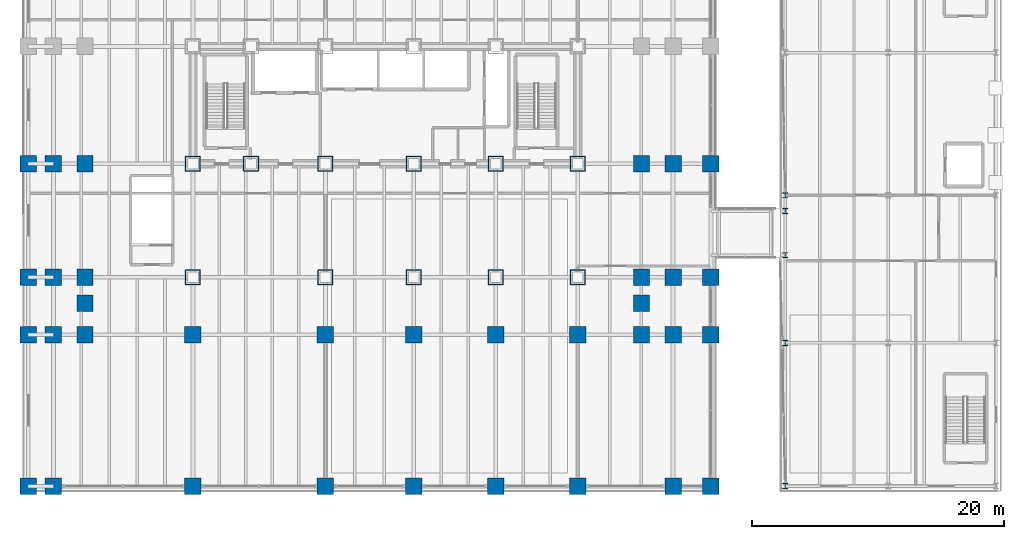
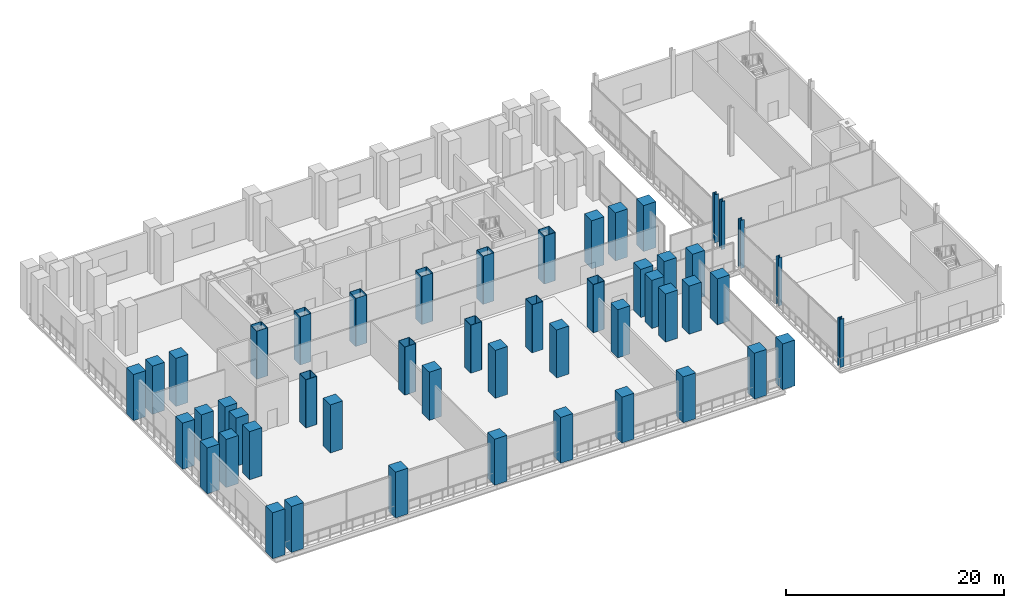
# One storey, part 1 of 30: 50 columns.
"""IFC4 building model written with IfcOpenShell, lengths in metres."""

import ifcopenshell
import ifcopenshell.guid

model = None  # the IFC model being written
_history = None  # IfcOwnerHistory: only IFC2X3 demands one
_inside = {}  # id of a spatial element -> (the spatial element, [elements in it])
_under = {}  # id of a project, library or spatial element -> (it, [spatial elements below it])
_declared = {}  # id of a project -> (the project, [libraries it declares])
_typed = {}  # id of a type object -> (the type object, [elements of that type])
_made_of = {}  # id of a material, layer set ... -> (it, [elements and type objects made of it])


def new_model(schema):
    """Start an empty IFC model of exactly this schema.

    Asked for "IFC4X3", IfcOpenShell would pick the latest addendum, in which some entities
    have other attributes; the version numbers below select the first issue.
    IFC2X3 requires an IfcOwnerHistory on every rooted entity: one is made here for all.
    """
    global model, _history
    if schema == "IFC4X3":
        model = ifcopenshell.file(schema_version=(4, 3, 0, 0))
    else:
        model = ifcopenshell.file(schema=schema)
    _inside.clear()
    _under.clear()
    _declared.clear()
    _typed.clear()
    _made_of.clear()
    _history = None
    if model.schema == "IFC2X3":
        org = make("IfcOrganization", Name="unknown")
        user = make(
            "IfcPersonAndOrganization",
            ThePerson=make("IfcPerson", FamilyName="unknown"),
            TheOrganization=org,
        )
        app = make(
            "IfcApplication",
            ApplicationDeveloper=org,
            Version="unknown",
            ApplicationFullName="unknown",
            ApplicationIdentifier="unknown",
        )
        _history = make(
            "IfcOwnerHistory",
            OwningUser=user,
            OwningApplication=app,
            ChangeAction="ADDED",
            CreationDate=0,
        )
    return model


def make(cls, **values):
    """One entity of the class cls with the attributes given. An attribute that is None is left unset."""
    return model.create_entity(
        cls, **{name: value for name, value in values.items() if value is not None}
    )


def rooted(cls, **values):
    """An entity with a GlobalId (a new one), such as an element, a storey or a relation."""
    return make(cls, GlobalId=ifcopenshell.guid.new(), OwnerHistory=_history, **values)


def si_unit(unit_type, name, prefix=None):
    """IfcSIUnit, for example si_unit("LENGTHUNIT", "METRE", prefix="MILLI")."""
    return make("IfcSIUnit", UnitType=unit_type, Prefix=prefix, Name=name)


def assignment(units):
    """IfcUnitAssignment: the units of a project."""
    return None if units is None else make("IfcUnitAssignment", Units=units)


def point(xyz):
    """IfcCartesianPoint."""
    return None if xyz is None else make("IfcCartesianPoint", Coordinates=xyz)


def direction(xyz):
    """IfcDirection."""
    return None if xyz is None else make("IfcDirection", DirectionRatios=xyz)


def frame(location, z_axis=None, x_axis=None):
    """IfcAxis2Placement3D, a coordinate frame: its origin and axes. An axis left out is left unset."""
    return make(
        "IfcAxis2Placement3D",
        Location=point(location),
        Axis=direction(z_axis),
        RefDirection=direction(x_axis),
    )


def frame_2d(location, x_axis=None):
    """IfcAxis2Placement2D, a coordinate frame in the plane: its origin and x axis."""
    return make(
        "IfcAxis2Placement2D", Location=point(location), RefDirection=direction(x_axis)
    )


def origin():
    """The frame at (0, 0, 0) with its axes left unset."""
    return frame((0.0, 0.0, 0.0))


def origin_2d():
    """The frame at (0, 0) in the plane with its x axis left unset."""
    return frame_2d((0.0, 0.0))


def place(relative_to, where):
    """IfcLocalPlacement: puts the frame where relative to a parent placement (None: the world)."""
    return make(
        "IfcLocalPlacement", PlacementRelTo=relative_to, RelativePlacement=where
    )


def context(
    kind, dimensions, precision=None, world=None, true_north=None, identifier=None
):
    """IfcGeometricRepresentationContext, for example the 3D "Model" context."""
    return make(
        "IfcGeometricRepresentationContext",
        ContextIdentifier=identifier,
        ContextType=kind,
        CoordinateSpaceDimension=dimensions,
        Precision=precision,
        WorldCoordinateSystem=world,
        TrueNorth=true_north,
    )


def subcontext(parent, identifier, kind, view, scale=None):
    """IfcGeometricRepresentationSubContext, for example "Body" below "Model"."""
    return make(
        "IfcGeometricRepresentationSubContext",
        ContextIdentifier=identifier,
        ContextType=kind,
        ParentContext=parent,
        TargetScale=scale,
        TargetView=view,
    )


def project(units=None, contexts=None):
    """IfcProject with its units and contexts."""
    return rooted(
        "IfcProject",
        Name="project",
        RepresentationContexts=contexts,
        UnitsInContext=assignment(units),
    )


def spatial(cls, under=None, at=None, **own):
    """A site, building, storey or space (cls), placed at a placement, below another one or the project."""
    s = rooted(cls, ObjectPlacement=at, **own)
    if under is not None:
        _under.setdefault(under.id(), (under, []))[1].append(s)
    return s


def profile(cls, at=None, kind="AREA", **sizes):
    """A parametric profile (cls). Its sizes go by their IFC names, for example OverallWidth=200.0."""
    return make(cls, ProfileType=kind, Position=at, **sizes)


def rectangle(**sizes):
    """IfcRectangleProfileDef."""
    return profile("IfcRectangleProfileDef", **sizes)


def hollow_rectangle(**sizes):
    """IfcRectangleHollowProfileDef."""
    return profile("IfcRectangleHollowProfileDef", **sizes)


def i_section(**sizes):
    """IfcIShapeProfileDef."""
    return profile("IfcIShapeProfileDef", **sizes)


def extrude(swept, where, along, depth):
    """IfcExtrudedAreaSolid: the profile swept, set in the frame where, extruded along a direction by depth."""
    return make(
        "IfcExtrudedAreaSolid",
        SweptArea=swept,
        Position=where,
        ExtrudedDirection=direction(along),
        Depth=depth,
    )


def shape(context_of_items, identifier, shape_type, items):
    """IfcShapeRepresentation: the items that make up one representation, for example the "Body"."""
    return make(
        "IfcShapeRepresentation",
        ContextOfItems=context_of_items,
        RepresentationIdentifier=identifier,
        RepresentationType=shape_type,
        Items=items,
    )


def material(Name=None, Category=None):
    """IfcMaterial."""
    return make("IfcMaterial", Name=Name, Category=Category)


def material_profile(
    of_material, cross_section, Name=None, Category=None, Priority=None
):
    """IfcMaterialProfile: a cross section and its material."""
    return make(
        "IfcMaterialProfile",
        Name=Name,
        Material=of_material,
        Profile=cross_section,
        Priority=Priority,
        Category=Category,
    )


def profile_set(profiles, Name=None, composite=None):
    """IfcMaterialProfileSet."""
    return make(
        "IfcMaterialProfileSet",
        Name=Name,
        MaterialProfiles=profiles,
        CompositeProfile=composite,
    )


def made_of(thing, what):
    """Note that an element or type object is made of a material, layer set ...; save() writes the relation."""
    if what is not None:
        _made_of.setdefault(what.id(), (what, []))[1].append(thing)
    return thing


def type_object(cls, material=None, **own):
    """A type object (cls), such as IfcWallType, which elements share."""
    return made_of(rooted(cls, **own), material)


def element(
    cls,
    number,
    at=None,
    inside=None,
    cuts=None,
    type_object=None,
    material=None,
    context=None,
    identifier="Body",
    shape_type=None,
    held_by="IfcProductDefinitionShape",
    body=None,
    shapes=None,
    **own,
):
    """One element of the class cls, such as IfcWall. Its Tag is "e" and its number.

    at: its placement. inside: the storey or other place that contains it. cuts: it is an
    opening in that element (IfcRelVoidsElement). A single representation is given by context,
    identifier, shape_type and body (its items); several are given by shapes. held_by: the class
    of the entity that holds the representations. save() writes the other relations.
    """
    e = rooted(cls, Tag="e%d" % number, ObjectPlacement=at, **own)
    if body is not None:
        shapes = [shape(context, identifier, shape_type, body)]
    if shapes is not None:
        e.Representation = make(held_by, Representations=shapes)
    if inside is not None:
        _inside.setdefault(inside.id(), (inside, []))[1].append(e)
    if cuts is not None:
        rooted(
            "IfcRelVoidsElement", RelatingBuildingElement=cuts, RelatedOpeningElement=e
        )
    if type_object is not None:
        _typed.setdefault(type_object.id(), (type_object, []))[1].append(e)
    return made_of(e, material)


def aggregate(whole, parts):
    """IfcRelAggregates: a whole, such as a stair, and the parts it consists of."""
    return rooted("IfcRelAggregates", RelatingObject=whole, RelatedObjects=parts)


def save(model, path):
    """Write the relations noted so far, then the file.

    IfcRelAggregates (storeys below a building ...), IfcRelContainedInSpatialStructure (elements
    in a storey), IfcRelDefinesByType, IfcRelAssociatesMaterial and IfcRelDeclares: one each for
    every whole, place, type object, material and project.
    """
    for whole, parts in _under.values():
        aggregate(whole, parts)
    for where, things in _inside.values():
        rooted(
            "IfcRelContainedInSpatialStructure",
            RelatedElements=things,
            RelatingStructure=where,
        )
    for kind, things in _typed.values():
        rooted("IfcRelDefinesByType", RelatedObjects=things, RelatingType=kind)
    for what, things in _made_of.values():
        rooted("IfcRelAssociatesMaterial", RelatedObjects=things, RelatingMaterial=what)
    for by, libraries in _declared.values():
        rooted("IfcRelDeclares", RelatingContext=by, RelatedDefinitions=libraries)
    model.write(path)


model = new_model("IFC4")

# Units and contexts
model_context = context("Model", 3, precision=1e-05, world=origin(), true_north=direction((0.0, 1.0)))
body_context = subcontext(model_context, "Body", "Model", "MODEL_VIEW")
ifc_project = project(units=[si_unit("LENGTHUNIT", "METRE"), si_unit("AREAUNIT", "SQUARE_METRE"), si_unit("VOLUMEUNIT", "CUBIC_METRE"), si_unit("PLANEANGLEUNIT", "RADIAN"), si_unit("MASSUNIT", "GRAM", prefix="KILO")], contexts=[model_context])

# Site, building, storey
site_placement = place(None, origin())
site = spatial("IfcSite", under=ifc_project, at=site_placement, CompositionType="ELEMENT")
building_placement = place(site_placement, origin())
building = spatial("IfcBuilding", under=site, at=building_placement, Name="Noeulbin Bourse Tower", CompositionType="ELEMENT")
storey_placement = place(building_placement, frame((0.0, 0.0, 16.60009765625)))
storey = spatial("IfcBuildingStorey", under=building, at=storey_placement, Name="L04", CompositionType="ELEMENT", Elevation=16.60009765625)

# Columns
ifc_material_1 = material(Name="Steel S355", Category="steel")
ifc_material_profile_1 = material_profile(ifc_material_1, i_section(OverallWidth=0.406982421875, OverallDepth=0.427978515625, WebThickness=0.02001953125, FlangeThickness=0.034912109375, FilletRadius=0.02197265625, at=origin_2d()), Name="H-428x407x20x35", Category="LoadBearing")
ifc_profile_set_1 = profile_set([ifc_material_profile_1], Name="Steel S355")
column_type_1 = type_object("IfcColumnType", Name="COL-MKT-ST", PredefinedType="COLUMN", material=ifc_profile_set_1)
for number, where, z_axis, x_axis, name in (
    (1, (60.449951171875, 3.449951171875, 0.0), (0.0, 0.0, 1.0), (1.0, 0.0, 0.0), "Market Hall Column COL-MKT-ST 01"),
    (2, (60.449951171875, 14.800048828125, 0.0), (0.0, 0.0, 1.0), (1.0, 0.0, 0.0), "Market Hall Column COL-MKT-ST 02"),
    (3, (60.449951171875, 21.75, 0.0), (0.0, 0.0, 1.0), (1.0, 0.0, 0.0), "Market Hall Column COL-MKT-ST 03"),
    (4, (60.449951171875, 25.25, 0.0), (0.0, 0.0, 1.0), (1.0, 0.0, 0.0), "Market Hall Column COL-MKT-ST 04"),
    (5, (60.449951171875, 26.5, 0.0), (0.0, 0.0, 1.0), (1.0, 0.0, 0.0), "Market Hall Column COL-MKT-ST 05"),
):
    element("IfcColumn", number, at=place(storey_placement, frame(where, z_axis=z_axis, x_axis=x_axis)), inside=storey, type_object=column_type_1, Name=name, PredefinedType="COLUMN", context=body_context, shape_type="SweptSolid", body=[
        extrude(i_section(OverallWidth=0.406982421875, OverallDepth=0.427978515625, WebThickness=0.02001953125, FlangeThickness=0.034912109375, FilletRadius=0.02197265625, at=origin_2d()), origin(), (0.0, 0.0, 1.0), 5.39990234375),
    ])
ifc_material_2 = material(Name="Concrete C60/75", Category="concrete")
ifc_material_profile_2 = material_profile(ifc_material_2, rectangle(XDim=1.300048828125, YDim=1.300048828125, at=origin_2d()), Name="RC-COL-1300x1300", Category="LoadBearing")
ifc_profile_set_2 = profile_set([ifc_material_profile_2], Name="Concrete C60/75")
column_type_2 = type_object("IfcColumnType", Name="COL-POD-RC", PredefinedType="COLUMN", material=ifc_profile_set_2)
column_1_placement = place(storey_placement, frame((0.449951171875, 3.449951171875, 0.0), z_axis=(0.0, 0.0, 1.0), x_axis=(1.0, 0.0, 0.0)))
element("IfcColumn", 6, at=column_1_placement, inside=storey, type_object=column_type_2, Name="Podium Column COL-POD-RC 01", PredefinedType="COLUMN", context=body_context, shape_type="SweptSolid", body=[
    extrude(rectangle(XDim=1.300048828125, YDim=1.300048828125, at=origin_2d()), origin(), (0.0, 0.0, 1.0), 5.14990234375),
])
for number, where, z_axis, x_axis, name in (
    (7, (0.449951171875, 15.449951171875, 0.0), (0.0, 0.0, 1.0), (1.0, 0.0, 0.0), "Podium Column COL-POD-RC 02"),
    (8, (0.449951171875, 20.0, 0.0), (0.0, 0.0, 1.0), (1.0, 0.0, 0.0), "Podium Column COL-POD-RC 03"),
    (9, (0.449951171875, 29.0, 0.0), (0.0, 0.0, 1.0), (1.0, 0.0, 0.0), "Podium Column COL-POD-RC 04"),
):
    element("IfcColumn", number, at=place(storey_placement, frame(where, z_axis=z_axis, x_axis=x_axis)), inside=storey, type_object=column_type_2, Name=name, PredefinedType="COLUMN", context=body_context, shape_type="SweptSolid", body=[
        extrude(rectangle(XDim=1.300048828125, YDim=1.300048828125, at=origin_2d()), origin(), (0.0, 0.0, 1.0), 5.159912109375),
    ])
column_2_placement = place(storey_placement, frame((2.449951171875, 3.449951171875, 0.0), z_axis=(0.0, 0.0, 1.0), x_axis=(1.0, 0.0, 0.0)))
element("IfcColumn", 10, at=column_2_placement, inside=storey, type_object=column_type_2, Name="Podium Column COL-POD-RC 08", PredefinedType="COLUMN", context=body_context, shape_type="SweptSolid", body=[
    extrude(rectangle(XDim=1.300048828125, YDim=1.300048828125, at=origin_2d()), origin(), (0.0, 0.0, 1.0), 5.14990234375),
])
for number, where, z_axis, x_axis, name in (
    (11, (2.449951171875, 15.449951171875, 0.0), (0.0, 0.0, 1.0), (1.0, 0.0, 0.0), "Podium Column COL-POD-RC 09"),
    (12, (2.449951171875, 20.0, 0.0), (0.0, 0.0, 1.0), (1.0, 0.0, 0.0), "Podium Column COL-POD-RC 10"),
    (13, (2.449951171875, 29.0, 0.0), (0.0, 0.0, 1.0), (1.0, 0.0, 0.0), "Podium Column COL-POD-RC 11"),
    (14, (4.949951171875, 15.449951171875, 0.0), (0.0, 0.0, 1.0), (1.0, 0.0, 0.0), "Podium Column COL-POD-RC 15"),
    (15, (4.949951171875, 17.949951171875, 0.0), (0.0, 0.0, 1.0), (1.0, 0.0, 0.0), "Podium Column COL-POD-RC 16"),
    (16, (4.949951171875, 20.0, 0.0), (0.0, 0.0, 1.0), (1.0, 0.0, 0.0), "Podium Column COL-POD-RC 17"),
    (17, (4.949951171875, 29.0, 0.0), (0.0, 0.0, 1.0), (1.0, 0.0, 0.0), "Podium Column COL-POD-RC 18"),
):
    element("IfcColumn", number, at=place(storey_placement, frame(where, z_axis=z_axis, x_axis=x_axis)), inside=storey, type_object=column_type_2, Name=name, PredefinedType="COLUMN", context=body_context, shape_type="SweptSolid", body=[
        extrude(rectangle(XDim=1.300048828125, YDim=1.300048828125, at=origin_2d()), origin(), (0.0, 0.0, 1.0), 5.39990234375),
    ])
column_3_placement = place(storey_placement, frame((13.5, 3.449951171875, 0.0), z_axis=(0.0, 0.0, 1.0), x_axis=(1.0, 0.0, 0.0)))
element("IfcColumn", 18, at=column_3_placement, inside=storey, type_object=column_type_2, Name="Podium Column COL-POD-RC 22", PredefinedType="COLUMN", context=body_context, shape_type="SweptSolid", body=[
    extrude(rectangle(XDim=1.300048828125, YDim=1.300048828125, at=origin_2d()), origin(), (0.0, 0.0, 1.0), 5.14990234375),
])
column_4_placement = place(storey_placement, frame((13.5, 15.449951171875, 0.0), z_axis=(0.0, 0.0, 1.0), x_axis=(1.0, 0.0, 0.0)))
element("IfcColumn", 19, at=column_4_placement, inside=storey, type_object=column_type_2, Name="Podium Column COL-POD-RC 23", PredefinedType="COLUMN", context=body_context, shape_type="SweptSolid", body=[
    extrude(rectangle(XDim=1.300048828125, YDim=1.300048828125, at=origin_2d()), origin(), (0.0, 0.0, 1.0), 5.39990234375),
])
column_5_placement = place(storey_placement, frame((24.0, 3.449951171875, 0.0), z_axis=(0.0, 0.0, 1.0), x_axis=(1.0, 0.0, 0.0)))
element("IfcColumn", 20, at=column_5_placement, inside=storey, type_object=column_type_2, Name="Podium Column COL-POD-RC 26", PredefinedType="COLUMN", context=body_context, shape_type="SweptSolid", body=[
    extrude(rectangle(XDim=1.300048828125, YDim=1.300048828125, at=origin_2d()), origin(), (0.0, 0.0, 1.0), 5.14990234375),
])
column_6_placement = place(storey_placement, frame((24.0, 15.449951171875, 0.0), z_axis=(0.0, 0.0, 1.0), x_axis=(1.0, 0.0, 0.0)))
element("IfcColumn", 21, at=column_6_placement, inside=storey, type_object=column_type_2, Name="Podium Column COL-POD-RC 27", PredefinedType="COLUMN", context=body_context, shape_type="SweptSolid", body=[
    extrude(rectangle(XDim=1.300048828125, YDim=1.300048828125, at=origin_2d()), origin(), (0.0, 0.0, 1.0), 5.39990234375),
])
column_7_placement = place(storey_placement, frame((31.0, 3.449951171875, 0.0), z_axis=(0.0, 0.0, 1.0), x_axis=(1.0, 0.0, 0.0)))
element("IfcColumn", 22, at=column_7_placement, inside=storey, type_object=column_type_2, Name="Podium Column COL-POD-RC 30", PredefinedType="COLUMN", context=body_context, shape_type="SweptSolid", body=[
    extrude(rectangle(XDim=1.300048828125, YDim=1.300048828125, at=origin_2d()), origin(), (0.0, 0.0, 1.0), 5.14990234375),
])
column_8_placement = place(storey_placement, frame((31.0, 15.449951171875, 0.0), z_axis=(0.0, 0.0, 1.0), x_axis=(1.0, 0.0, 0.0)))
element("IfcColumn", 23, at=column_8_placement, inside=storey, type_object=column_type_2, Name="Podium Column COL-POD-RC 31", PredefinedType="COLUMN", context=body_context, shape_type="SweptSolid", body=[
    extrude(rectangle(XDim=1.300048828125, YDim=1.300048828125, at=origin_2d()), origin(), (0.0, 0.0, 1.0), 5.39990234375),
])
column_9_placement = place(storey_placement, frame((37.5, 3.449951171875, 0.0), z_axis=(0.0, 0.0, 1.0), x_axis=(1.0, 0.0, 0.0)))
element("IfcColumn", 24, at=column_9_placement, inside=storey, type_object=column_type_2, Name="Podium Column COL-POD-RC 34", PredefinedType="COLUMN", context=body_context, shape_type="SweptSolid", body=[
    extrude(rectangle(XDim=1.300048828125, YDim=1.300048828125, at=origin_2d()), origin(), (0.0, 0.0, 1.0), 5.14990234375),
])
column_10_placement = place(storey_placement, frame((37.5, 15.449951171875, 0.0), z_axis=(0.0, 0.0, 1.0), x_axis=(1.0, 0.0, 0.0)))
element("IfcColumn", 25, at=column_10_placement, inside=storey, type_object=column_type_2, Name="Podium Column COL-POD-RC 35", PredefinedType="COLUMN", context=body_context, shape_type="SweptSolid", body=[
    extrude(rectangle(XDim=1.300048828125, YDim=1.300048828125, at=origin_2d()), origin(), (0.0, 0.0, 1.0), 5.39990234375),
])
column_11_placement = place(storey_placement, frame((44.0, 3.449951171875, 0.0), z_axis=(0.0, 0.0, 1.0), x_axis=(1.0, 0.0, 0.0)))
element("IfcColumn", 26, at=column_11_placement, inside=storey, type_object=column_type_2, Name="Podium Column COL-POD-RC 38", PredefinedType="COLUMN", context=body_context, shape_type="SweptSolid", body=[
    extrude(rectangle(XDim=1.300048828125, YDim=1.300048828125, at=origin_2d()), origin(), (0.0, 0.0, 1.0), 5.14990234375),
])
for number, where, z_axis, x_axis, name in (
    (27, (44.0, 15.449951171875, 0.0), (0.0, 0.0, 1.0), (1.0, 0.0, 0.0), "Podium Column COL-POD-RC 39"),
    (28, (49.050048828125, 15.449951171875, 0.0), (0.0, 0.0, 1.0), (1.0, 0.0, 0.0), "Podium Column COL-POD-RC 42"),
    (29, (49.050048828125, 17.949951171875, 0.0), (0.0, 0.0, 1.0), (1.0, 0.0, 0.0), "Podium Column COL-POD-RC 43"),
    (30, (49.050048828125, 20.0, 0.0), (0.0, 0.0, 1.0), (1.0, 0.0, 0.0), "Podium Column COL-POD-RC 44"),
    (31, (49.050048828125, 29.0, 0.0), (0.0, 0.0, 1.0), (1.0, 0.0, 0.0), "Podium Column COL-POD-RC 45"),
):
    element("IfcColumn", number, at=place(storey_placement, frame(where, z_axis=z_axis, x_axis=x_axis)), inside=storey, type_object=column_type_2, Name=name, PredefinedType="COLUMN", context=body_context, shape_type="SweptSolid", body=[
        extrude(rectangle(XDim=1.300048828125, YDim=1.300048828125, at=origin_2d()), origin(), (0.0, 0.0, 1.0), 5.39990234375),
    ])
column_12_placement = place(storey_placement, frame((51.550048828125, 3.449951171875, 0.0), z_axis=(0.0, 0.0, 1.0), x_axis=(1.0, 0.0, 0.0)))
element("IfcColumn", 32, at=column_12_placement, inside=storey, type_object=column_type_2, Name="Podium Column COL-POD-RC 49", PredefinedType="COLUMN", context=body_context, shape_type="SweptSolid", body=[
    extrude(rectangle(XDim=1.300048828125, YDim=1.300048828125, at=origin_2d()), origin(), (0.0, 0.0, 1.0), 5.14990234375),
])
for number, where, z_axis, x_axis, name in (
    (33, (51.550048828125, 15.449951171875, 0.0), (0.0, 0.0, 1.0), (1.0, 0.0, 0.0), "Podium Column COL-POD-RC 50"),
    (34, (51.550048828125, 20.0, 0.0), (0.0, 0.0, 1.0), (1.0, 0.0, 0.0), "Podium Column COL-POD-RC 51"),
    (35, (51.550048828125, 29.0, 0.0), (0.0, 0.0, 1.0), (1.0, 0.0, 0.0), "Podium Column COL-POD-RC 52"),
):
    element("IfcColumn", number, at=place(storey_placement, frame(where, z_axis=z_axis, x_axis=x_axis)), inside=storey, type_object=column_type_2, Name=name, PredefinedType="COLUMN", context=body_context, shape_type="SweptSolid", body=[
        extrude(rectangle(XDim=1.300048828125, YDim=1.300048828125, at=origin_2d()), origin(), (0.0, 0.0, 1.0), 5.39990234375),
    ])
column_13_placement = place(storey_placement, frame((54.550048828125, 3.449951171875, 0.0), z_axis=(0.0, 0.0, 1.0), x_axis=(1.0, 0.0, 0.0)))
element("IfcColumn", 36, at=column_13_placement, inside=storey, type_object=column_type_2, Name="Podium Column COL-POD-RC 56", PredefinedType="COLUMN", context=body_context, shape_type="SweptSolid", body=[
    extrude(rectangle(XDim=1.300048828125, YDim=1.300048828125, at=origin_2d()), origin(), (0.0, 0.0, 1.0), 5.14990234375),
])
for number, where, z_axis, x_axis, name in (
    (37, (54.550048828125, 15.449951171875, 0.0), (0.0, 0.0, 1.0), (1.0, 0.0, 0.0), "Podium Column COL-POD-RC 57"),
    (38, (54.550048828125, 20.0, 0.0), (0.0, 0.0, 1.0), (1.0, 0.0, 0.0), "Podium Column COL-POD-RC 58"),
    (39, (54.550048828125, 29.0, 0.0), (0.0, 0.0, 1.0), (1.0, 0.0, 0.0), "Podium Column COL-POD-RC 59"),
):
    element("IfcColumn", number, at=place(storey_placement, frame(where, z_axis=z_axis, x_axis=x_axis)), inside=storey, type_object=column_type_2, Name=name, PredefinedType="COLUMN", context=body_context, shape_type="SweptSolid", body=[
        extrude(rectangle(XDim=1.300048828125, YDim=1.300048828125, at=origin_2d()), origin(), (0.0, 0.0, 1.0), 5.159912109375),
    ])
ifc_material_3 = material(Name="Steel S460", Category="steel")
ifc_material_profile_3 = material_profile(ifc_material_3, hollow_rectangle(XDim=1.199951171875, YDim=1.199951171875, WallThickness=0.0400390625, InnerFilletRadius=0.02001953125, OuterFilletRadius=0.06005859375, at=origin_2d()), Name="BOX-1200x1200x40", Category="LoadBearing")
ifc_profile_set_3 = profile_set([ifc_material_profile_3], Name="Steel S460")
column_type_3 = type_object("IfcColumnType", Name="COL-TRK-Z0", PredefinedType="COLUMN", material=ifc_profile_set_3)
for number, where, z_axis, x_axis, name in (
    (40, (13.5, 29.0, 0.0), (0.0, 0.0, 1.0), (1.0, 0.0, 0.0), "Tower Trunk Mega-Column COL-TRK-Z0 01"),
    (41, (18.10009765625, 29.0, 0.0), (0.0, 0.0, 1.0), (1.0, 0.0, 0.0), "Tower Trunk Mega-Column COL-TRK-Z0 03"),
    (42, (24.0, 29.0, 0.0), (0.0, 0.0, 1.0), (1.0, 0.0, 0.0), "Tower Trunk Mega-Column COL-TRK-Z0 05"),
    (43, (31.0, 29.0, 0.0), (0.0, 0.0, 1.0), (1.0, 0.0, 0.0), "Tower Trunk Mega-Column COL-TRK-Z0 07"),
    (44, (37.5, 29.0, 0.0), (0.0, 0.0, 1.0), (1.0, 0.0, 0.0), "Tower Trunk Mega-Column COL-TRK-Z0 09"),
    (45, (44.0, 29.0, 0.0), (0.0, 0.0, 1.0), (1.0, 0.0, 0.0), "Tower Trunk Mega-Column COL-TRK-Z0 11"),
    (46, (13.5, 20.0, 0.0), (0.0, 0.0, 1.0), (1.0, 0.0, 0.0), "Tower Trunk Mega-Column COL-TRK-Z0 13"),
    (47, (24.0, 20.0, 0.0), (0.0, 0.0, 1.0), (1.0, 0.0, 0.0), "Tower Trunk Mega-Column COL-TRK-Z0 14"),
    (48, (31.0, 20.0, 0.0), (0.0, 0.0, 1.0), (1.0, 0.0, 0.0), "Tower Trunk Mega-Column COL-TRK-Z0 15"),
    (49, (37.5, 20.0, 0.0), (0.0, 0.0, 1.0), (1.0, 0.0, 0.0), "Tower Trunk Mega-Column COL-TRK-Z0 16"),
    (50, (44.0, 20.0, 0.0), (0.0, 0.0, 1.0), (1.0, 0.0, 0.0), "Tower Trunk Mega-Column COL-TRK-Z0 17"),
):
    element("IfcColumn", number, at=place(storey_placement, frame(where, z_axis=z_axis, x_axis=x_axis)), inside=storey, type_object=column_type_3, Name=name, PredefinedType="COLUMN", context=body_context, shape_type="SweptSolid", body=[
        extrude(hollow_rectangle(XDim=1.199951171875, YDim=1.199951171875, WallThickness=0.0400390625, InnerFilletRadius=0.02001953125, OuterFilletRadius=0.06005859375, at=origin_2d()), origin(), (0.0, 0.0, 1.0), 5.39990234375),
    ])

save(model, "model.ifc")
